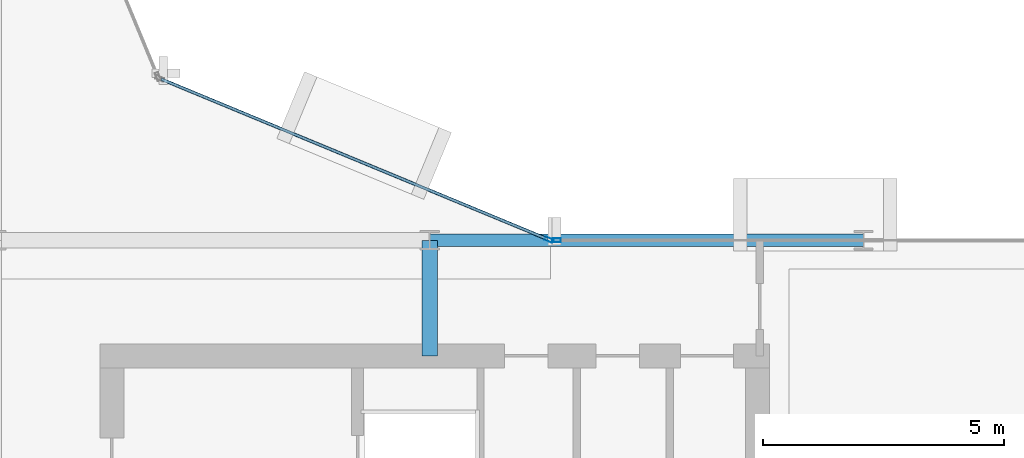
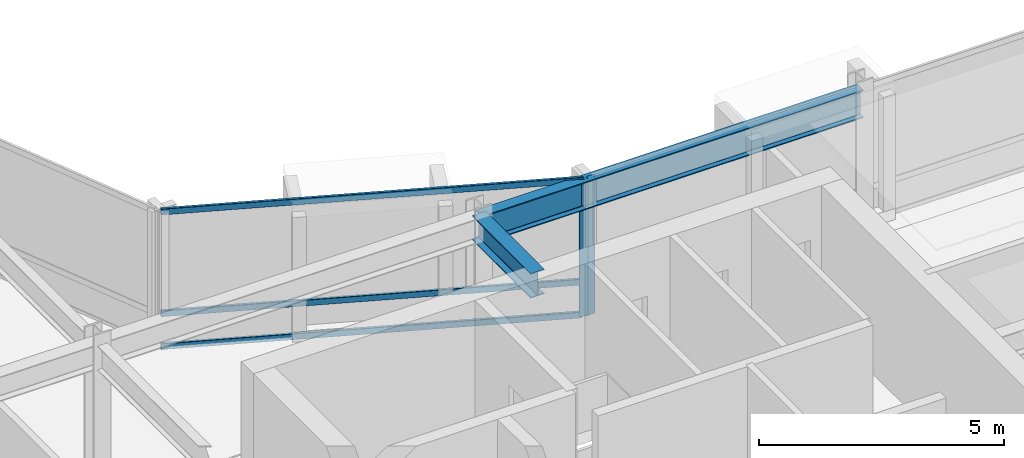
# One storey, part 12 of 28: 5 members, 2 beams, 2 elements without a shape of their own.
"""IFC4 building model written with IfcOpenShell, lengths in metres."""

from ifc_helpers import new_model, si_unit, direction, frame, origin, origin_2d, place, context, subcontext, project, spatial, hollow_rectangle, i_section, extrude, material, layer, layer_set, material_profile, profile_set, type_object, element, aggregate, save


model = new_model("IFC4")

# Units and contexts
model_context = context("Model", 3, precision=1e-05, world=origin(), true_north=direction((0.0, 1.0)))
body_context = subcontext(model_context, "Body", "Model", "MODEL_VIEW")
ifc_project = project(units=[si_unit("LENGTHUNIT", "METRE"), si_unit("AREAUNIT", "SQUARE_METRE"), si_unit("VOLUMEUNIT", "CUBIC_METRE"), si_unit("PLANEANGLEUNIT", "RADIAN"), si_unit("MASSUNIT", "GRAM", prefix="KILO")], contexts=[model_context])

# Site, building, storey
site_placement = place(None, origin())
site = spatial("IfcSite", under=ifc_project, at=site_placement, CompositionType="ELEMENT")
building_placement = place(site_placement, origin())
building = spatial("IfcBuilding", under=site, at=building_placement, Name="Solvaryn Broadcast Tower", CompositionType="ELEMENT")
storey_placement = place(building_placement, frame((0.0, 0.0, 206.199951171875)))
storey = spatial("IfcBuildingStorey", under=building, at=storey_placement, Name="L51", CompositionType="ELEMENT", Elevation=206.199951171875)

# Beams
ifc_material_1 = material(Name="Steel ASTM A992 Grade 50", Category="steel")
ifc_material_profile_1 = material_profile(ifc_material_1, i_section(OverallWidth=0.323974609375, OverallDepth=0.611083984375, WebThickness=0.0126953125, FlangeThickness=0.01904296875, FilletRadius=0.014892578125, at=origin_2d()))
ifc_profile_set_1 = profile_set([ifc_material_profile_1], Name="Steel ASTM A992 Grade 50")
beam_type_1 = type_object("IfcBeamType", Name="BM-B1-W24X104", PredefinedType="BEAM", material=ifc_profile_set_1)
beam_1_placement = place(storey_placement, frame((36.0, 24.60009765625, 3.114501953125), z_axis=(0.0, 1.0, 0.0), x_axis=(-1.0, 0.0, 0.0)))
element("IfcBeam", 1, at=beam_1_placement, inside=storey, type_object=beam_type_1, Name="L51 Core Tie Beam CTE2", PredefinedType="BEAM", context=body_context, shape_type="SweptSolid", body=[
    extrude(i_section(OverallWidth=0.323974609375, OverallDepth=0.611083984375, WebThickness=0.0126953125, FlangeThickness=0.01904296875, FilletRadius=0.014892578125, at=origin_2d()), origin(), (0.0, 0.0, 1.0), 2.39990234375),
])
ifc_material_2 = material(Name="Steel ASTM A992 Grade 50", Category="steel")
ifc_material_profile_2 = material_profile(ifc_material_2, i_section(OverallWidth=0.256103515625, OverallDepth=0.693115234375, WebThickness=0.014404296875, FlangeThickness=0.023681640625, FilletRadius=0.01611328125, at=origin_2d()))
ifc_profile_set_2 = profile_set([ifc_material_profile_2], Name="Steel ASTM A992 Grade 50")
beam_type_2 = type_object("IfcBeamType", Name="BM-SP3-W27X114", PredefinedType="USERDEFINED", material=ifc_profile_set_2)
beam_2_placement = place(storey_placement, frame((36.0, 27.0, 3.073486328125), z_axis=(1.0, 0.0, 0.0), x_axis=(0.0, 1.0, 0.0)))
element("IfcBeam", 2, at=beam_2_placement, inside=storey, type_object=beam_type_2, Name="L51 Spandrel Beam X (36-45 @ Y=27)", ObjectType="SPANDREL", PredefinedType="USERDEFINED", context=body_context, shape_type="SweptSolid", body=[
    extrude(i_section(OverallWidth=0.256103515625, OverallDepth=0.693115234375, WebThickness=0.014404296875, FlangeThickness=0.023681640625, FilletRadius=0.01611328125, at=origin_2d()), origin(), (0.0, 0.0, 1.0), 9.0),
])

# Curtain wall, member
ifc_material_3 = material(Name="Aluminium and Terracotta Unitised Curtain Wall", Category="masonry")
ifc_layer = layer(ifc_material_3, 0.199951171875)
ifc_layer_set = layer_set([ifc_layer], Name="CW-SYS2-LOWMID")
curtain_wall_type = type_object("IfcCurtainWallType", Name="CW-SYS2-LOWMID", PredefinedType="NOTDEFINED", material=ifc_layer_set)
curtain_wall_1_placement = place(storey_placement, origin())
curtain_wall_1 = element("IfcCurtainWall", 3, at=curtain_wall_1_placement, inside=storey, type_object=curtain_wall_type, Name="L51 Curtain Wall CN1", PredefinedType="NOTDEFINED")
ifc_material_4 = material(Name="Anodised Aluminium 6063-T6", Category="aluminium")
ifc_material_profile_3 = material_profile(ifc_material_4, hollow_rectangle(XDim=0.074951171875, YDim=0.179931640625, WallThickness=0.00390625, InnerFilletRadius=0.00390625, OuterFilletRadius=0.008056640625, at=origin_2d()))
ifc_profile_set_3 = profile_set([ifc_material_profile_3], Name="Anodised Aluminium 6063-T6")
member_type_1 = type_object("IfcMemberType", Name="CW-MUL-180", PredefinedType="MULLION", material=ifc_profile_set_3)
member_1_placement = place(storey_placement, frame((38.47216796875, 27.011474609375, 0.0), z_axis=(0.0, 0.0, 1.0), x_axis=(-0.382646127145, -0.923894983957, 0.0)))
member_1 = element("IfcMember", 4, at=member_1_placement, type_object=member_type_1, Name="CWS2 mullion 1", PredefinedType="MULLION", context=body_context, shape_type="SweptSolid", body=[
    extrude(hollow_rectangle(XDim=0.074951171875, YDim=0.179931640625, WallThickness=0.00390625, InnerFilletRadius=0.00390625, OuterFilletRadius=0.008056640625, at=origin_2d()), origin(), (0.0, 0.0, 1.0), 3.420166015625),
])

curtain_wall_2_placement = place(storey_placement, origin())
curtain_wall_2 = element("IfcCurtainWall", 5, at=curtain_wall_2_placement, inside=storey, type_object=curtain_wall_type, Name="L51 Curtain Wall IH", PredefinedType="NOTDEFINED")
member_2_placement = place(storey_placement, frame((38.6298828125, 27.0, 0.0), z_axis=(0.0, 0.0, 1.0), x_axis=(0.0, 1.0, 0.0)))
member_2 = element("IfcMember", 6, at=member_2_placement, type_object=member_type_1, Name="CWS2 mullion 1", PredefinedType="MULLION", context=body_context, shape_type="SweptSolid", body=[
    extrude(hollow_rectangle(XDim=0.074951171875, YDim=0.179931640625, WallThickness=0.00390625, InnerFilletRadius=0.00390625, OuterFilletRadius=0.008056640625, at=origin_2d()), origin(), (0.0, 0.0, 1.0), 3.420166015625),
])
aggregate(curtain_wall_2, [member_2])

# Member
ifc_material_5 = material(Name="Anodised Aluminium 6063-T6", Category="aluminium")
ifc_material_profile_4 = material_profile(ifc_material_5, hollow_rectangle(XDim=0.06494140625, YDim=0.14990234375, WallThickness=0.00390625, InnerFilletRadius=0.00390625, OuterFilletRadius=0.008056640625, at=origin_2d()))
ifc_profile_set_4 = profile_set([ifc_material_profile_4], Name="Anodised Aluminium 6063-T6")
member_type_2 = type_object("IfcMemberType", Name="CW-TRN-150", PredefinedType="USERDEFINED", material=ifc_profile_set_4)
member_3_placement = place(storey_placement, frame((38.444580078125, 27.02294921875, 0.030029296875), z_axis=(-0.923899282177, 0.382635748975, 0.0), x_axis=(-0.382635748975, -0.923899282177, 0.0)))
member_3 = element("IfcMember", 7, at=member_3_placement, type_object=member_type_2, Name="CWS2 transom 1.1", ObjectType="TRANSOM", PredefinedType="USERDEFINED", context=body_context, shape_type="SweptSolid", body=[
    extrude(hollow_rectangle(XDim=0.06494140625, YDim=0.14990234375, WallThickness=0.00390625, InnerFilletRadius=0.00390625, OuterFilletRadius=0.008056640625, at=origin_2d()), origin(), (0.0, 0.0, 1.0), 8.681884765625),
])

member_4_placement = place(storey_placement, frame((38.444580078125, 27.02294921875, 0.85009765625), z_axis=(-0.923899282177, 0.382635748975, 0.0), x_axis=(-0.382635748975, -0.923899282177, 0.0)))
member_4 = element("IfcMember", 8, at=member_4_placement, type_object=member_type_2, Name="CWS2 transom 1.2", ObjectType="TRANSOM", PredefinedType="USERDEFINED", context=body_context, shape_type="SweptSolid", body=[
    extrude(hollow_rectangle(XDim=0.06494140625, YDim=0.14990234375, WallThickness=0.00390625, InnerFilletRadius=0.00390625, OuterFilletRadius=0.008056640625, at=origin_2d()), origin(), (0.0, 0.0, 1.0), 8.681884765625),
])

member_5_placement = place(storey_placement, frame((38.444580078125, 27.02294921875, 3.39013671875), z_axis=(-0.923899282177, 0.382635748975, 0.0), x_axis=(-0.382635748975, -0.923899282177, 0.0)))
member_5 = element("IfcMember", 9, at=member_5_placement, type_object=member_type_2, Name="CWS2 transom 1.3", ObjectType="TRANSOM", PredefinedType="USERDEFINED", context=body_context, shape_type="SweptSolid", body=[
    extrude(hollow_rectangle(XDim=0.06494140625, YDim=0.14990234375, WallThickness=0.00390625, InnerFilletRadius=0.00390625, OuterFilletRadius=0.008056640625, at=origin_2d()), origin(), (0.0, 0.0, 1.0), 8.681884765625),
])

aggregate(curtain_wall_1, [member_1, member_3, member_4, member_5])

save(model, "model.ifc")
